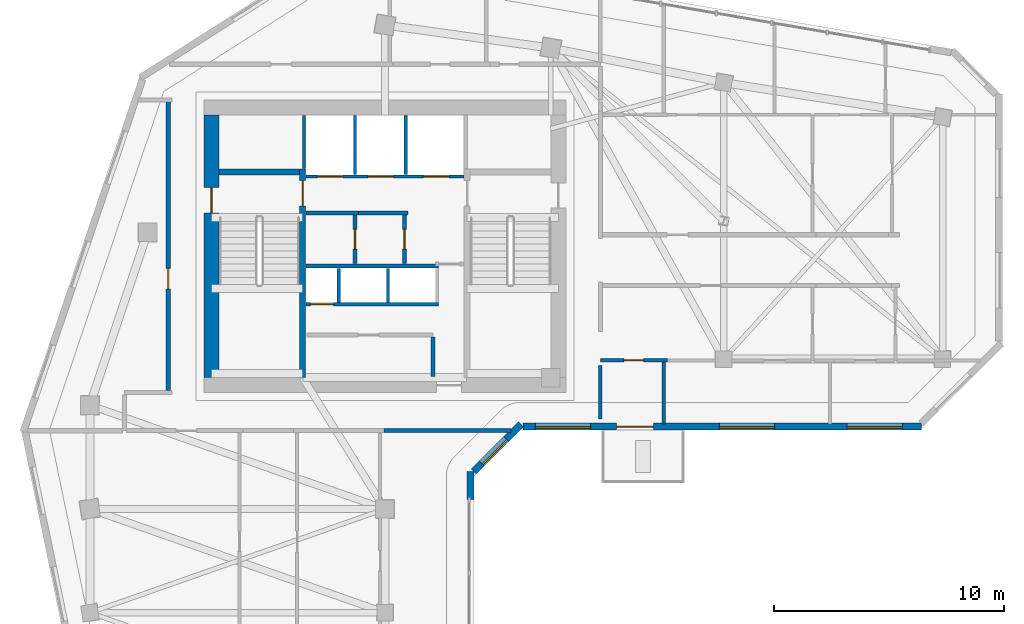
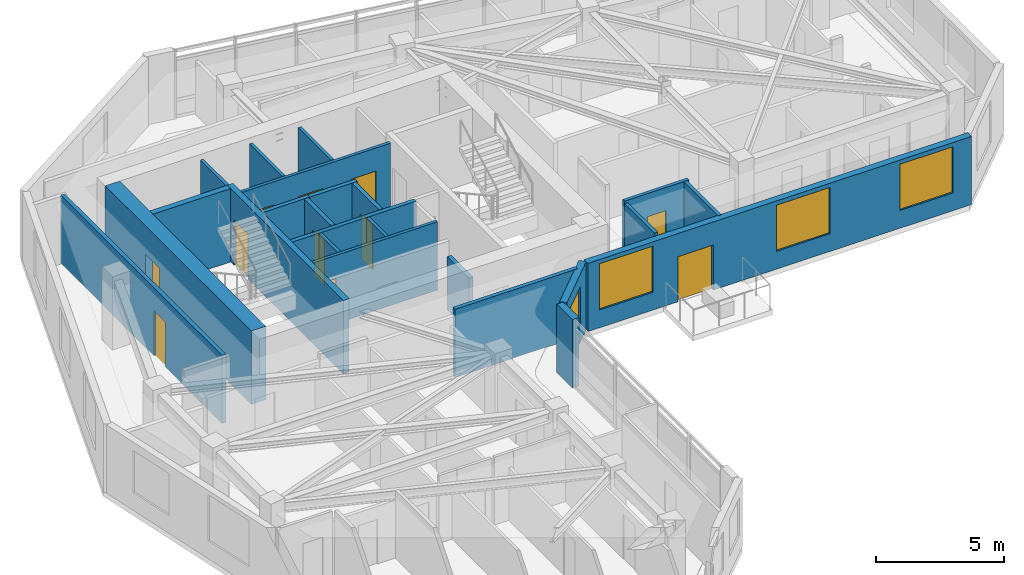
# One storey, part 6 of 11: 24 walls, 11 doors, 4 windows, 15 openings.
"""IFC4 building model written with IfcOpenShell, lengths in metres."""

from ifc_helpers import new_model, si_unit, direction, frame, frame_2d, origin, place, context, subcontext, project, spatial, rectangle, extrude, source, transform, mapped, material, layer, layer_set, type_object, element, fill, save


model = new_model("IFC4")

# Units and contexts
model_context = context("Model", 3, precision=1e-05, world=origin(), true_north=direction((0.0, 1.0)))
body_context = subcontext(model_context, "Body", "Model", "MODEL_VIEW")
ifc_project = project(units=[si_unit("LENGTHUNIT", "METRE"), si_unit("AREAUNIT", "SQUARE_METRE"), si_unit("VOLUMEUNIT", "CUBIC_METRE"), si_unit("PLANEANGLEUNIT", "RADIAN"), si_unit("MASSUNIT", "GRAM", prefix="KILO")], contexts=[model_context])

# Site, building, storey
site_placement = place(None, origin())
site = spatial("IfcSite", under=ifc_project, at=site_placement, CompositionType="ELEMENT")
building_placement = place(site_placement, origin())
building = spatial("IfcBuilding", under=site, at=building_placement, Name="Calvemar Wedge Station Tower", CompositionType="ELEMENT")
storey_placement = place(building_placement, frame((0.0, 0.0, 186.89990234375)))
storey = spatial("IfcBuildingStorey", under=building, at=storey_placement, Name="L46", CompositionType="ELEMENT", Elevation=186.89990234375)

# Wall, opening, door
ifc_material_1 = material(Name="Concrete C50", Category="concrete")
ifc_layer_1 = layer(ifc_material_1, 0.260009765625)
ifc_layer_set_1 = layer_set([ifc_layer_1], Name="Concrete C50")
wall_type_1 = type_object("IfcWallType", Name="SW-CORE-260", PredefinedType="SHEAR", material=ifc_layer_set_1)
wall_1_placement = place(storey_placement, frame((20.22998046875, 34.199951171875, 0.0), z_axis=(0.0, 0.0, 1.0), x_axis=(0.0, 1.0, 0.0)))
wall_1 = element("IfcWall", 1, at=wall_1_placement, inside=storey, type_object=wall_type_1, Name="Storey L46 Core Shear Wall SPINE-W", PredefinedType="SHEAR", context=body_context, shape_type="SweptSolid", body=[
    extrude(rectangle(XDim=9.06005859375, YDim=0.260009765625, at=frame_2d((4.530029296875, 0.0))), origin(), (0.0, 0.0, 1.0), 3.5),
])
shared_shape_1 = source(origin(), body_context, "Body", "SweptSolid", [
    extrude(rectangle(XDim=1.10009765625, YDim=2.14990234375, at=frame_2d((0.550048828125, 1.074951171875))), frame((0.0, 0.14013671875, 0.0), z_axis=(0.0, -1.0, 0.0), x_axis=(1.0, 0.0, 0.0)), (0.0, 0.0, 1.0), 0.280029296875),
])
opening_1_placement = place(wall_1_placement, frame((7.449951171875, 0.0, 0.0)))
opening_1 = element("IfcOpeningElement", 2, at=opening_1_placement, cuts=wall_1, Name="Opening FD-90", PredefinedType="OPENING", context=body_context, shape_type="MappedRepresentation", body=[
    mapped(shared_shape_1, transform((0.0, 0.0, 0.0), scale=1.0)),
])
ifc_material_2 = material(Name="Galvanized fire-rated steel door leaf P-90", Category="steel")
door_type_1 = type_object("IfcDoorType", Name="DR-FD90-1100", OperationType="NOTDEFINED", PredefinedType="DOOR", material=ifc_material_2)
shared_shape_2 = source(origin(), body_context, "Body", "SweptSolid", [
    extrude(rectangle(XDim=1.10009765625, YDim=2.14990234375, at=frame_2d((0.550048828125, 1.074951171875))), frame((0.0, 0.02490234375, 0.0), z_axis=(0.0, -1.0, 0.0), x_axis=(1.0, 0.0, 0.0)), (0.0, 0.0, 1.0), 0.050048828125),
])
door_1_placement = place(opening_1_placement, origin())
door_1 = element("IfcDoor", 3, at=door_1_placement, inside=storey, type_object=door_type_1, Name="L46 FF Lobby to Stair ST-C1 Door", OperationType="SINGLE_SWING_LEFT", OverallHeight=2.14990234375, OverallWidth=1.10009765625, PredefinedType="DOOR", context=body_context, shape_type="MappedRepresentation", body=[
    mapped(shared_shape_2, transform((0.0, 0.0, 0.0), scale=1.0)),
])
fill(opening_1, door_1)

# Wall
wall_2_placement = place(storey_placement, frame((16.60009765625, 43.1298828125, 0.0), z_axis=(0.0, 0.0, 1.0), x_axis=(1.0, 0.0, 0.0)))
element("IfcWall", 4, at=wall_2_placement, inside=storey, type_object=wall_type_1, Name="Storey L46 Core Shear Wall STC1-N", PredefinedType="SHEAR", context=body_context, shape_type="SweptSolid", body=[
    extrude(rectangle(XDim=3.5, YDim=0.260009765625, at=frame_2d((1.75, 0.0))), origin(), (0.0, 0.0, 1.0), 3.5),
])

# Wall, opening, door
ifc_material_3 = material(Name="Concrete C60", Category="concrete")
ifc_layer_2 = layer(ifc_material_3, 0.64990234375)
ifc_layer_set_2 = layer_set([ifc_layer_2], Name="Concrete C60")
wall_type_2 = type_object("IfcWallType", Name="SW-CORE-650", PredefinedType="SHEAR", material=ifc_layer_set_2)
wall_3_placement = place(storey_placement, frame((16.27490234375, 34.199951171875, 0.0), z_axis=(0.0, 0.0, 1.0), x_axis=(0.0, 1.0, 0.0)))
wall_3 = element("IfcWall", 5, at=wall_3_placement, inside=storey, type_object=wall_type_2, Name="Storey L46 Core Shear Wall W", PredefinedType="SHEAR", context=body_context, shape_type="SweptSolid", body=[
    extrude(rectangle(XDim=11.400146484375, YDim=0.64990234375, at=frame_2d((5.7001953125, 0.0))), origin(), (0.0, 0.0, 1.0), 3.5),
])
shared_shape_3 = source(origin(), body_context, "Body", "SweptSolid", [
    extrude(rectangle(XDim=1.10009765625, YDim=2.14990234375, at=frame_2d((0.550048828125, 1.074951171875))), frame((0.0, 0.3349609375, 0.0), z_axis=(0.0, -1.0, 0.0), x_axis=(1.0, 0.0, 0.0)), (0.0, 0.0, 1.0), 0.669921875),
])
opening_2_placement = place(wall_3_placement, frame((7.14990234375, 0.0, 0.0)))
opening_2 = element("IfcOpeningElement", 6, at=opening_2_placement, cuts=wall_3, Name="Opening FD-90", PredefinedType="OPENING", context=body_context, shape_type="MappedRepresentation", body=[
    mapped(shared_shape_3, transform((0.0, 0.0, 0.0), scale=1.0)),
])
door_2_placement = place(opening_2_placement, origin())
door_2 = element("IfcDoor", 7, at=door_2_placement, inside=storey, type_object=door_type_1, Name="L46 West Corridor to Exit Stair ST-C1 Door", OperationType="SINGLE_SWING_LEFT", OverallHeight=2.14990234375, OverallWidth=1.10009765625, PredefinedType="DOOR", context=body_context, shape_type="MappedRepresentation", body=[
    mapped(shared_shape_2, transform((0.0, 0.0, 0.0), scale=1.0)),
])
fill(opening_2, door_2)

# Walls
ifc_material_4 = material(Name="Double-stud fire-rated corridor partition")
ifc_layer_3 = layer(ifc_material_4, 0.179931640625)
ifc_layer_set_3 = layer_set([ifc_layer_3], Name="Double-stud fire-rated corridor partition")
wall_type_3 = type_object("IfcWallType", Name="W-CORR-180", PredefinedType="PARTITIONING", material=ifc_layer_set_3)
wall_4_placement = place(storey_placement, frame((22.659912109375, 41.35009765625, 0.0), z_axis=(0.0, 0.0, 1.0), x_axis=(-1.0, 0.0, 0.0)))
element("IfcWall", 8, at=wall_4_placement, inside=storey, type_object=wall_type_3, Name="Storey L46 Interior Partition WL-L46-001", PredefinedType="PARTITIONING", context=body_context, shape_type="SweptSolid", body=[
    extrude(rectangle(XDim=2.280029296875, YDim=0.179931640625, at=frame_2d((1.14013671875, 0.0))), origin(), (0.0, 0.0, 1.0), 3.25),
])
wall_5_placement = place(storey_placement, frame((24.81005859375, 41.35009765625, 0.0), z_axis=(0.0, 0.0, 1.0), x_axis=(-1.0, 0.0, 0.0)))
element("IfcWall", 9, at=wall_5_placement, inside=storey, type_object=wall_type_3, Name="Storey L46 Interior Partition WL-L46-002", PredefinedType="PARTITIONING", context=body_context, shape_type="SweptSolid", body=[
    extrude(rectangle(XDim=2.14794921875, YDim=0.179931640625, at=frame_2d((1.073974609375, 0.0))), origin(), (0.0, 0.0, 1.0), 3.25),
])

# Wall, opening, door
wall_6_placement = place(storey_placement, frame((22.5, 41.256103515625, 0.0), z_axis=(0.0, 0.0, 1.0), x_axis=(0.0, -1.0, 0.0)))
wall_6 = element("IfcWall", 10, at=wall_6_placement, inside=storey, type_object=wall_type_3, Name="Storey L46 Interior Partition WL-L46-003", PredefinedType="PARTITIONING", context=body_context, shape_type="SweptSolid", body=[
    extrude(rectangle(XDim=2.106201171875, YDim=0.179931640625, at=frame_2d((1.05322265625, 0.0))), origin(), (0.0, 0.0, 1.0), 3.25),
])
shared_shape_4 = source(origin(), body_context, "Body", "SweptSolid", [
    extrude(rectangle(XDim=0.85009765625, YDim=2.14990234375, at=frame_2d((0.425048828125, 1.074951171875))), frame((0.0, 0.10009765625, 0.0), z_axis=(0.0, -1.0, 0.0), x_axis=(1.0, 0.0, 0.0)), (0.0, 0.0, 1.0), 0.199951171875),
])
opening_3_placement = place(wall_6_placement, frame((0.6279296875, 0.0, 0.0)))
opening_3 = element("IfcOpeningElement", 11, at=opening_3_placement, cuts=wall_6, Name="Opening FD-60S", PredefinedType="OPENING", context=body_context, shape_type="MappedRepresentation", body=[
    mapped(shared_shape_4, transform((0.0, 0.0, 0.0), scale=1.0)),
])
ifc_material_5 = material(Name="Fire-rated steel and hardwood service door EI 60", Category="steel")
door_type_2 = type_object("IfcDoorType", Name="DR-CORE-FD60-850", OperationType="NOTDEFINED", PredefinedType="DOOR", material=ifc_material_5)
shared_shape_5 = source(origin(), body_context, "Body", "SweptSolid", [
    extrude(rectangle(XDim=0.85009765625, YDim=2.14990234375, at=frame_2d((0.425048828125, 1.074951171875))), frame((0.0, 0.02490234375, 0.0), z_axis=(0.0, -1.0, 0.0), x_axis=(1.0, 0.0, 0.0)), (0.0, 0.0, 1.0), 0.050048828125),
])
door_3_placement = place(opening_3_placement, origin())
door_3 = element("IfcDoor", 12, at=door_3_placement, inside=storey, type_object=door_type_2, Name="L46 IT and Telecoms Room Door", OperationType="SINGLE_SWING_RIGHT", OverallHeight=2.14990234375, OverallWidth=0.85009765625, PredefinedType="DOOR", context=body_context, shape_type="MappedRepresentation", body=[
    mapped(shared_shape_5, transform((0.0, 0.0, 0.0), scale=1.0)),
])
fill(opening_3, door_3)

wall_7_placement = place(storey_placement, frame((24.64990234375, 41.256103515625, 0.0), z_axis=(0.0, 0.0, 1.0), x_axis=(0.0, -1.0, 0.0)))
wall_7 = element("IfcWall", 13, at=wall_7_placement, inside=storey, type_object=wall_type_3, Name="Storey L46 Interior Partition WL-L46-004", PredefinedType="PARTITIONING", context=body_context, shape_type="SweptSolid", body=[
    extrude(rectangle(XDim=2.106201171875, YDim=0.179931640625, at=frame_2d((1.05322265625, 0.0))), origin(), (0.0, 0.0, 1.0), 3.25),
])
opening_4_placement = place(wall_7_placement, frame((0.6279296875, 0.0, 0.0)))
opening_4 = element("IfcOpeningElement", 14, at=opening_4_placement, cuts=wall_7, Name="Opening FD-60S", PredefinedType="OPENING", context=body_context, shape_type="MappedRepresentation", body=[
    mapped(shared_shape_4, transform((0.0, 0.0, 0.0), scale=1.0)),
])
door_4_placement = place(opening_4_placement, origin())
door_4 = element("IfcDoor", 15, at=door_4_placement, inside=storey, type_object=door_type_2, Name="L46 Core Equipment Store Door", OperationType="SINGLE_SWING_LEFT", OverallHeight=2.14990234375, OverallWidth=0.85009765625, PredefinedType="DOOR", context=body_context, shape_type="MappedRepresentation", body=[
    mapped(shared_shape_5, transform((0.0, 0.0, 0.0), scale=1.0)),
])
fill(opening_4, door_4)

# Walls
wall_8_placement = place(storey_placement, frame((25.8798828125, 35.9560546875, 0.0), z_axis=(0.0, 0.0, 1.0), x_axis=(0.0, -1.0, 0.0)))
element("IfcWall", 16, at=wall_8_placement, inside=storey, type_object=wall_type_3, Name="Storey L46 Interior Partition WL-L46-007", PredefinedType="PARTITIONING", context=body_context, shape_type="SweptSolid", body=[
    extrude(rectangle(XDim=1.7060546875, YDim=0.179931640625, at=frame_2d((0.85302734375, 0.0))), origin(), (0.0, 0.0, 1.0), 2.5419921875),
])
wall_9_placement = place(storey_placement, frame((29.26513671875, 31.89990234375, 0.0), z_axis=(0.0, 0.0, 1.0), x_axis=(-1.0, 0.0, 0.0)))
element("IfcWall", 17, at=wall_9_placement, inside=storey, type_object=wall_type_3, Name="Storey L46 Interior Partition WL-L46-011", PredefinedType="PARTITIONING", context=body_context, shape_type="SweptSolid", body=[
    extrude(rectangle(XDim=5.51220703125, YDim=0.179931640625, at=frame_2d((2.756103515625, 0.0))), origin(), (0.0, 0.0, 1.0), 3.25),
])

# Wall, opening, door
wall_10_placement = place(storey_placement, frame((14.39990234375, 33.64404296875, 0.0), z_axis=(0.0, 0.0, 1.0), x_axis=(0.0, 1.0, 0.0)))
wall_10 = element("IfcWall", 18, at=wall_10_placement, inside=storey, type_object=wall_type_3, Name="Storey L46 Interior Partition WL-L46-014", PredefinedType="PARTITIONING", context=body_context, shape_type="SweptSolid", body=[
    extrude(rectangle(XDim=12.60595703125, YDim=0.179931640625, at=frame_2d((6.302978515625, 0.0))), origin(), (0.0, 0.0, 1.0), 3.25),
])
shared_shape_6 = source(origin(), body_context, "Body", "SweptSolid", [
    extrude(rectangle(XDim=0.89990234375, YDim=2.14990234375, at=frame_2d((0.449951171875, 1.074951171875))), frame((0.0, 0.10009765625, 0.0), z_axis=(0.0, -1.0, 0.0), x_axis=(1.0, 0.0, 0.0)), (0.0, 0.0, 1.0), 0.199951171875),
])
opening_5_placement = place(wall_10_placement, frame((4.399169921875, 0.0, 0.0)))
opening_5 = element("IfcOpeningElement", 19, at=opening_5_placement, cuts=wall_10, Name="Opening D-01", PredefinedType="OPENING", context=body_context, shape_type="MappedRepresentation", body=[
    mapped(shared_shape_6, transform((0.0, 0.0, 0.0), scale=1.0)),
])
ifc_material_6 = material(Name="Architectural hardwood acoustic swing door", Category="wood")
door_type_3 = type_object("IfcDoorType", Name="DR-INT-900", OperationType="NOTDEFINED", PredefinedType="DOOR", material=ifc_material_6)
shared_shape_7 = source(origin(), body_context, "Body", "SweptSolid", [
    extrude(rectangle(XDim=0.89990234375, YDim=2.14990234375, at=frame_2d((0.449951171875, 1.074951171875))), frame((0.0, 0.02490234375, 0.0), z_axis=(0.0, -1.0, 0.0), x_axis=(1.0, 0.0, 0.0)), (0.0, 0.0, 1.0), 0.050048828125),
])
door_5_placement = place(opening_5_placement, origin())
door_5 = element("IfcDoor", 20, at=door_5_placement, inside=storey, type_object=door_type_3, Name="L46 Resident Reading Lounge Door", OperationType="SINGLE_SWING_RIGHT", OverallHeight=2.14990234375, OverallWidth=0.89990234375, PredefinedType="DOOR", context=body_context, shape_type="MappedRepresentation", body=[
    mapped(shared_shape_7, transform((0.0, 0.0, 0.0), scale=1.0)),
])
fill(opening_5, door_5)

# Wall
ifc_material_7 = material(Name="Precast concrete C45", Category="concrete")
ifc_layer_4 = layer(ifc_material_7, 0.300048828125)
ifc_layer_set_4 = layer_set([ifc_layer_4], Name="Precast concrete C45")
wall_type_4 = type_object("IfcWallType", Name="W-EXT-GFRC-300", PredefinedType="SOLIDWALL", material=ifc_layer_set_4)
wall_11_placement = place(storey_placement, frame((27.513916015625, 28.90869140625, 0.0), z_axis=(0.0, 0.0, 1.0), x_axis=(0.0, 1.0, 0.0)))
element("IfcWall", 21, at=wall_11_placement, inside=storey, type_object=wall_type_4, Name="Storey L46 Bronze GFRC Corner Pier 4B", PredefinedType="SOLIDWALL", context=body_context, shape_type="SweptSolid", body=[
    extrude(rectangle(XDim=1.227294921875, YDim=0.300048828125, at=frame_2d((0.61376953125, 0.0))), origin(), (0.0, 0.0, 1.0), 3.25),
])

# Wall, opening, window
wall_12_placement = place(storey_placement, frame((27.652099609375, 30.1240234375, 0.0), z_axis=(0.0, 0.0, 1.0), x_axis=(0.707064797706, 0.707148762175, 0.0)))
wall_12 = element("IfcWall", 22, at=wall_12_placement, inside=storey, type_object=wall_type_4, Name="Storey L46 Bronze GFRC Exterior Wall 5", PredefinedType="SOLIDWALL", context=body_context, shape_type="SweptSolid", body=[
    extrude(rectangle(XDim=2.90771484375, YDim=0.300048828125, at=frame_2d((1.453857421875, 0.0))), origin(), (0.0, 0.0, 1.0), 3.25),
])
shared_shape_8 = source(origin(), body_context, "Body", "SweptSolid", [
    extrude(rectangle(XDim=1.5, YDim=1.800048828125, at=frame_2d((0.75, 0.89990234375))), frame((0.0, 0.16015625, 0.0), z_axis=(0.0, -1.0, 0.0), x_axis=(1.0, 0.0, 0.0)), (0.0, 0.0, 1.0), 0.320068359375),
])
opening_6_placement = place(wall_12_placement, frame((0.498046875, 0.0, 0.85009765625)))
opening_6 = element("IfcOpeningElement", 23, at=opening_6_placement, cuts=wall_12, Name="Opening W3", PredefinedType="OPENING", context=body_context, shape_type="MappedRepresentation", body=[
    mapped(shared_shape_8, transform((0.0, 0.0, 0.0), scale=1.0)),
])
ifc_material_8 = material(Name="Low-E laminated insulated glass", Category="glass")
window_type_1 = type_object("IfcWindowType", Name="WIN-EXT-3", PartitioningType="SINGLE_PANEL", PredefinedType="WINDOW", material=ifc_material_8)
shared_shape_9 = source(origin(), body_context, "Body", "SweptSolid", [
    extrude(rectangle(XDim=1.5, YDim=1.800048828125, at=frame_2d((0.75, 0.89990234375))), frame((0.0, -0.014892578125, 0.0), z_axis=(0.0, -1.0, 0.0), x_axis=(1.0, 0.0, 0.0)), (0.0, 0.0, 1.0), 0.06005859375),
])
window_1_placement = place(opening_6_placement, origin())
window_1 = element("IfcWindow", 24, at=window_1_placement, inside=storey, type_object=window_type_1, Name="Storey L46 Recessed Window 5.1", OverallHeight=1.800048828125, OverallWidth=1.5, PartitioningType="SINGLE_PANEL", PredefinedType="WINDOW", context=body_context, shape_type="MappedRepresentation", body=[
    mapped(shared_shape_9, transform((0.0, 0.0, 0.0), scale=1.0)),
])
fill(opening_6, window_1)

# Wall, openings, windows, door
wall_13_placement = place(storey_placement, frame((29.797119140625, 32.073974609375, 0.0), z_axis=(0.0, 0.0, 1.0), x_axis=(1.0, 0.0, 0.0)))
wall_13 = element("IfcWall", 25, at=wall_13_placement, inside=storey, type_object=wall_type_4, Name="Storey L46 Bronze GFRC Exterior Wall 6", PredefinedType="SOLIDWALL", context=body_context, shape_type="SweptSolid", body=[
    extrude(rectangle(XDim=17.290771484375, YDim=0.300048828125, at=frame_2d((8.6455078125, 0.0))), origin(), (0.0, 0.0, 1.0), 3.25),
])
shared_shape_10 = source(origin(), body_context, "Body", "SweptSolid", [
    extrude(rectangle(XDim=1.60009765625, YDim=2.14990234375, at=frame_2d((0.800048828125, 1.074951171875))), frame((0.0, 0.16015625, 0.0), z_axis=(0.0, -1.0, 0.0), x_axis=(1.0, 0.0, 0.0)), (0.0, 0.0, 1.0), 0.320068359375),
])
opening_7_placement = place(wall_13_placement, frame((4.052978515625, 0.0, 0.0)))
opening_7 = element("IfcOpeningElement", 26, at=opening_7_placement, cuts=wall_13, Name="Opening DT1", PredefinedType="OPENING", context=body_context, shape_type="MappedRepresentation", body=[
    mapped(shared_shape_10, transform((0.0, 0.0, 0.0), scale=1.0)),
])
shared_shape_11 = source(origin(), body_context, "Body", "SweptSolid", [
    extrude(rectangle(XDim=2.39990234375, YDim=2.199951171875, at=frame_2d((1.199951171875, 1.10009765625))), frame((0.0, 0.16015625, 0.0), z_axis=(0.0, -1.0, 0.0), x_axis=(1.0, 0.0, 0.0)), (0.0, 0.0, 1.0), 0.320068359375),
])
opening_8_placement = place(wall_13_placement, frame((0.52587890625, 0.0, 0.85009765625)))
opening_8 = element("IfcOpeningElement", 27, at=opening_8_placement, cuts=wall_13, Name="Opening W1", PredefinedType="OPENING", context=body_context, shape_type="MappedRepresentation", body=[
    mapped(shared_shape_11, transform((0.0, 0.0, 0.0), scale=1.0)),
])
opening_9_placement = place(wall_13_placement, frame((8.510986328125, 0.0, 0.85009765625)))
opening_9 = element("IfcOpeningElement", 28, at=opening_9_placement, cuts=wall_13, Name="Opening W1", PredefinedType="OPENING", context=body_context, shape_type="MappedRepresentation", body=[
    mapped(shared_shape_11, transform((0.0, 0.0, 0.0), scale=1.0)),
])
opening_10_placement = place(wall_13_placement, frame((14.054931640625, 0.0, 0.85009765625)))
opening_10 = element("IfcOpeningElement", 29, at=opening_10_placement, cuts=wall_13, Name="Opening W1", PredefinedType="OPENING", context=body_context, shape_type="MappedRepresentation", body=[
    mapped(shared_shape_11, transform((0.0, 0.0, 0.0), scale=1.0)),
])
window_type_2 = type_object("IfcWindowType", Name="WIN-EXT-1", PartitioningType="SINGLE_PANEL", PredefinedType="WINDOW", material=ifc_material_8)
shared_shape_12 = source(origin(), body_context, "Body", "SweptSolid", [
    extrude(rectangle(XDim=2.39990234375, YDim=2.199951171875, at=frame_2d((1.199951171875, 1.10009765625))), frame((0.0, -0.014892578125, 0.0), z_axis=(0.0, -1.0, 0.0), x_axis=(1.0, 0.0, 0.0)), (0.0, 0.0, 1.0), 0.06005859375),
])
window_2_placement = place(opening_8_placement, origin())
window_2 = element("IfcWindow", 30, at=window_2_placement, inside=storey, type_object=window_type_2, Name="Storey L46 Recessed Window 6.1", OverallHeight=2.199951171875, OverallWidth=2.39990234375, PartitioningType="SINGLE_PANEL", PredefinedType="WINDOW", context=body_context, shape_type="MappedRepresentation", body=[
    mapped(shared_shape_12, transform((0.0, 0.0, 0.0), scale=1.0)),
])
fill(opening_8, window_2)
window_3_placement = place(opening_9_placement, origin())
window_3 = element("IfcWindow", 31, at=window_3_placement, inside=storey, type_object=window_type_2, Name="Storey L46 Recessed Window 6.2", OverallHeight=2.199951171875, OverallWidth=2.39990234375, PartitioningType="SINGLE_PANEL", PredefinedType="WINDOW", context=body_context, shape_type="MappedRepresentation", body=[
    mapped(shared_shape_12, transform((0.0, 0.0, 0.0), scale=1.0)),
])
fill(opening_9, window_3)
window_4_placement = place(opening_10_placement, origin())
window_4 = element("IfcWindow", 32, at=window_4_placement, inside=storey, type_object=window_type_2, Name="Storey L46 Recessed Window 6.3", OverallHeight=2.199951171875, OverallWidth=2.39990234375, PartitioningType="SINGLE_PANEL", PredefinedType="WINDOW", context=body_context, shape_type="MappedRepresentation", body=[
    mapped(shared_shape_12, transform((0.0, 0.0, 0.0), scale=1.0)),
])
fill(opening_10, window_4)
ifc_material_9 = material(Name="Anodised aluminium 6063-T6", Category="aluminium")
door_type_4 = type_object("IfcDoorType", Name="DR-TERR-1600", OperationType="DOUBLE_DOOR_SLIDING", PredefinedType="DOOR", material=ifc_material_9)
shared_shape_13 = source(origin(), body_context, "Body", "SweptSolid", [
    extrude(rectangle(XDim=1.60009765625, YDim=2.14990234375, at=frame_2d((0.800048828125, 1.074951171875))), frame((0.0, 0.02490234375, 0.0), z_axis=(0.0, -1.0, 0.0), x_axis=(1.0, 0.0, 0.0)), (0.0, 0.0, 1.0), 0.050048828125),
])
door_6_placement = place(opening_7_placement, origin())
door_6 = element("IfcDoor", 33, at=door_6_placement, inside=storey, type_object=door_type_4, Name="Storey L46 Spiral Terrace Door", OperationType="DOUBLE_DOOR_SLIDING", OverallHeight=2.14990234375, OverallWidth=1.60009765625, PredefinedType="DOOR", context=body_context, shape_type="MappedRepresentation", body=[
    mapped(shared_shape_13, transform((0.0, 0.0, 0.0), scale=1.0)),
])
fill(opening_7, door_6)

# Wall, openings, doors
ifc_material_10 = material(Name="Reinforced concrete blockwork lift shaft wall", Category="masonry")
ifc_layer_5 = layer(ifc_material_10, 0.139892578125)
ifc_layer_set_5 = layer_set([ifc_layer_5], Name="Reinforced concrete blockwork lift shaft wall")
wall_type_5 = type_object("IfcWallType", Name="W-LIFT-160", PredefinedType="SOLIDWALL", material=ifc_layer_set_5)
wall_14_placement = place(storey_placement, frame((20.3701171875, 42.929931640625, 0.0), z_axis=(0.0, 0.0, 1.0), x_axis=(1.0, 0.0, 0.0)))
wall_14 = element("IfcWall", 34, at=wall_14_placement, inside=storey, type_object=wall_type_5, Name="Storey L46 Firefighting and Service Lift Shaft Front Wall", PredefinedType="SOLIDWALL", context=body_context, shape_type="SweptSolid", body=[
    extrude(rectangle(XDim=6.85986328125, YDim=0.139892578125, at=frame_2d((3.429931640625, 0.0))), origin(), (0.0, 0.0, 1.0), 3.25),
])
shared_shape_14 = source(origin(), body_context, "Body", "SweptSolid", [
    extrude(rectangle(XDim=1.10009765625, YDim=2.14990234375, at=frame_2d((0.550048828125, 1.074951171875))), frame((0.0, 0.080078125, 0.0), z_axis=(0.0, -1.0, 0.0), x_axis=(1.0, 0.0, 0.0)), (0.0, 0.0, 1.0), 0.159912109375),
])
opening_11_placement = place(wall_14_placement, frame((0.5, 0.0, 0.0)))
opening_11 = element("IfcOpeningElement", 35, at=opening_11_placement, cuts=wall_14, Name="Opening LD-FF", PredefinedType="OPENING", context=body_context, shape_type="MappedRepresentation", body=[
    mapped(shared_shape_14, transform((0.0, 0.0, 0.0), scale=1.0)),
])
opening_12_placement = place(wall_14_placement, frame((2.699951171875, 0.0, 0.0)))
opening_12 = element("IfcOpeningElement", 36, at=opening_12_placement, cuts=wall_14, Name="Opening LD-FF", PredefinedType="OPENING", context=body_context, shape_type="MappedRepresentation", body=[
    mapped(shared_shape_14, transform((0.0, 0.0, 0.0), scale=1.0)),
])
opening_13_placement = place(wall_14_placement, frame((5.10009765625, 0.0, 0.0)))
opening_13 = element("IfcOpeningElement", 37, at=opening_13_placement, cuts=wall_14, Name="Opening LD-STN", PredefinedType="OPENING", context=body_context, shape_type="MappedRepresentation", body=[
    mapped(shared_shape_14, transform((0.0, 0.0, 0.0), scale=1.0)),
])
ifc_material_11 = material(Name="Stainless steel firefighting lift sliding landing door", Category="steel")
door_type_5 = type_object("IfcDoorType", Name="DR-LD-FF-1100", OperationType="SLIDING_TO_LEFT", PredefinedType="DOOR", material=ifc_material_11)
shared_shape_15 = source(origin(), body_context, "Body", "SweptSolid", [
    extrude(rectangle(XDim=1.10009765625, YDim=2.14990234375, at=frame_2d((0.550048828125, 1.074951171875))), frame((0.0, 0.02490234375, 0.0), z_axis=(0.0, -1.0, 0.0), x_axis=(1.0, 0.0, 0.0)), (0.0, 0.0, 1.0), 0.050048828125),
])
door_7_placement = place(opening_11_placement, origin())
door_7 = element("IfcDoor", 38, at=door_7_placement, inside=storey, type_object=door_type_5, Name="L46 Lift FF-01 Sliding Landing Door", OperationType="SLIDING_TO_LEFT", OverallHeight=2.14990234375, OverallWidth=1.10009765625, PredefinedType="DOOR", context=body_context, shape_type="MappedRepresentation", body=[
    mapped(shared_shape_15, transform((0.0, 0.0, 0.0), scale=1.0)),
])
fill(opening_11, door_7)
door_8_placement = place(opening_12_placement, origin())
door_8 = element("IfcDoor", 39, at=door_8_placement, inside=storey, type_object=door_type_5, Name="L46 Lift FF-02 Sliding Landing Door", OperationType="SLIDING_TO_RIGHT", OverallHeight=2.14990234375, OverallWidth=1.10009765625, PredefinedType="DOOR", context=body_context, shape_type="MappedRepresentation", body=[
    mapped(shared_shape_15, transform((0.0, 0.0, 0.0), scale=1.0)),
])
fill(opening_12, door_8)
ifc_material_12 = material(Name="Stainless steel transit lift sliding landing door", Category="steel")
door_type_6 = type_object("IfcDoorType", Name="DR-LD-PAX-1100", OperationType="SLIDING_TO_LEFT", PredefinedType="DOOR", material=ifc_material_12)
shared_shape_16 = source(origin(), body_context, "Body", "SweptSolid", [
    extrude(rectangle(XDim=1.10009765625, YDim=2.14990234375, at=frame_2d((0.550048828125, 1.074951171875))), frame((0.0, 0.02490234375, 0.0), z_axis=(0.0, -1.0, 0.0), x_axis=(1.0, 0.0, 0.0)), (0.0, 0.0, 1.0), 0.050048828125),
])
door_9_placement = place(opening_13_placement, origin())
door_9 = element("IfcDoor", 40, at=door_9_placement, inside=storey, type_object=door_type_6, Name="L46 Lift SV-01 Sliding Landing Door", OperationType="SLIDING_TO_LEFT", OverallHeight=2.14990234375, OverallWidth=1.10009765625, PredefinedType="DOOR", context=body_context, shape_type="MappedRepresentation", body=[
    mapped(shared_shape_16, transform((0.0, 0.0, 0.0), scale=1.0)),
])
fill(opening_13, door_9)

# Walls
wall_15_placement = place(storey_placement, frame((20.2900390625, 43.280029296875, 0.0), z_axis=(0.0, 0.0, 1.0), x_axis=(0.0, 1.0, 0.0)))
element("IfcWall", 41, at=wall_15_placement, inside=storey, type_object=wall_type_5, Name="Storey L46 Firefighting Lift Shaft Enclosure Wall W", PredefinedType="SOLIDWALL", context=body_context, shape_type="SweptSolid", body=[
    extrude(rectangle(XDim=2.300048828125, YDim=0.139892578125, at=frame_2d((1.14990234375, 0.0))), origin(), (0.0, 0.0, 1.0), 3.25),
])
for number, where, z_axis, x_axis, name in (
    (42, (22.5, 43.02001953125, 0.0), (0.0, 0.0, 1.0), (0.0, 1.0, 0.0), "Storey L46 Firefighting Lift Shaft Enclosure Wall D1"),
    (43, (24.699951171875, 43.02001953125, 0.0), (0.0, 0.0, 1.0), (0.0, 1.0, 0.0), "Storey L46 Firefighting Lift Shaft Enclosure Wall D2"),
):
    element("IfcWall", number, at=place(storey_placement, frame(where, z_axis=z_axis, x_axis=x_axis)), inside=storey, type_object=wall_type_5, Name=name, PredefinedType="SOLIDWALL", context=body_context, shape_type="SweptSolid", body=[
        extrude(rectangle(XDim=2.56005859375, YDim=0.139892578125, at=frame_2d((1.280029296875, 0.0))), origin(), (0.0, 0.0, 1.0), 3.25),
    ])

# Wall, opening, door
wall_16_placement = place(storey_placement, frame((20.3798828125, 37.3798828125, 0.0), z_axis=(0.0, 0.0, 1.0), x_axis=(1.0, 0.0, 0.0)))
wall_16 = element("IfcWall", 44, at=wall_16_placement, inside=storey, type_object=wall_type_5, Name="Storey L46 Upper Passenger Lift Bank Front Wall", PredefinedType="SOLIDWALL", context=body_context, shape_type="SweptSolid", body=[
    extrude(rectangle(XDim=5.75, YDim=0.139892578125, at=frame_2d((2.875, 0.0))), origin(), (0.0, 0.0, 1.0), 3.25),
])
shared_shape_17 = source(origin(), body_context, "Body", "SweptSolid", [
    extrude(rectangle(XDim=1.0, YDim=2.14990234375, at=frame_2d((0.5, 1.074951171875))), frame((0.0, 0.080078125, 0.0), z_axis=(0.0, -1.0, 0.0), x_axis=(1.0, 0.0, 0.0)), (0.0, 0.0, 1.0), 0.159912109375),
])
opening_14_placement = place(wall_16_placement, frame((0.18994140625, 0.0, 0.0)))
opening_14 = element("IfcOpeningElement", 45, at=opening_14_placement, cuts=wall_16, Name="Opening LD-PAX", PredefinedType="OPENING", context=body_context, shape_type="MappedRepresentation", body=[
    mapped(shared_shape_17, transform((0.0, 0.0, 0.0), scale=1.0)),
])
ifc_material_13 = material(Name="Anodised bronze passenger lift sliding landing door")
door_type_7 = type_object("IfcDoorType", Name="DR-LD-PAX-1000", OperationType="SLIDING_TO_LEFT", PredefinedType="DOOR", material=ifc_material_13)
shared_shape_18 = source(origin(), body_context, "Body", "SweptSolid", [
    extrude(rectangle(XDim=1.0, YDim=2.14990234375, at=frame_2d((0.5, 1.074951171875))), frame((0.0, 0.02490234375, 0.0), z_axis=(0.0, -1.0, 0.0), x_axis=(1.0, 0.0, 0.0)), (0.0, 0.0, 1.0), 0.050048828125),
])
door_10_placement = place(opening_14_placement, origin())
door_10 = element("IfcDoor", 46, at=door_10_placement, inside=storey, type_object=door_type_7, Name="L46 Lift RH-01 Sliding Landing Door", OperationType="SLIDING_TO_LEFT", OverallHeight=2.14990234375, OverallWidth=1.0, PredefinedType="DOOR", context=body_context, shape_type="MappedRepresentation", body=[
    mapped(shared_shape_18, transform((0.0, 0.0, 0.0), scale=1.0)),
])
fill(opening_14, door_10)

# Walls
for number, where, z_axis, x_axis, name in (
    (47, (21.794921875, 37.4599609375, 0.0), (0.0, 0.0, 1.0), (0.0, 1.0, 0.0), "Storey L46 Upper Passenger Lift Shaft Wall D1"),
    (48, (23.93505859375, 37.4599609375, 0.0), (0.0, 0.0, 1.0), (0.0, 1.0, 0.0), "Storey L46 Upper Passenger Lift Shaft Wall D2"),
):
    element("IfcWall", number, at=place(storey_placement, frame(where, z_axis=z_axis, x_axis=x_axis)), inside=storey, type_object=wall_type_5, Name=name, PredefinedType="SOLIDWALL", context=body_context, shape_type="SweptSolid", body=[
        extrude(rectangle(XDim=1.47998046875, YDim=0.139892578125, at=frame_2d((0.739990234375, 0.0))), origin(), (0.0, 0.0, 1.0), 3.25),
    ])
ifc_material_14 = material(Name="Concrete blockwork and fireboard shaft wall", Category="masonry")
ifc_layer_6 = layer(ifc_material_14, 0.199951171875)
ifc_layer_set_6 = layer_set([ifc_layer_6], Name="Concrete blockwork and fireboard shaft wall")
wall_type_6 = type_object("IfcWallType", Name="W-SHAFT-200", PredefinedType="SOLIDWALL", material=ifc_layer_set_6)
wall_17_placement = place(storey_placement, frame((20.3798828125, 39.0400390625, 0.0), z_axis=(0.0, 0.0, 1.0), x_axis=(1.0, 0.0, 0.0)))
element("IfcWall", 49, at=wall_17_placement, inside=storey, type_object=wall_type_6, Name="Storey L46 Upper Passenger Lift Bank Rear Shaft Wall", PredefinedType="SOLIDWALL", context=body_context, shape_type="SweptSolid", body=[
    extrude(rectangle(XDim=5.75, YDim=0.179931640625, at=frame_2d((2.875, 0.0))), origin(), (0.0, 0.0, 1.0), 3.25),
])

# Wall, opening, door
ifc_material_15 = material(Name="Moisture-resistant acoustic bathroom partition")
ifc_layer_7 = layer(ifc_material_15, 0.14990234375)
ifc_layer_set_7 = layer_set([ifc_layer_7], Name="Moisture-resistant acoustic bathroom partition")
wall_type_7 = type_object("IfcWallType", Name="W-WET-150", PredefinedType="PARTITIONING", material=ifc_layer_set_7)
wall_18_placement = place(storey_placement, frame((36.06005859375, 34.949951171875, 0.0), z_axis=(0.0, 0.0, 1.0), x_axis=(-1.0, 0.0, 0.0)))
wall_18 = element("IfcWall", 50, at=wall_18_placement, inside=storey, type_object=wall_type_7, Name="Storey L46 Interior Partition WL-L46-046", PredefinedType="PARTITIONING", context=body_context, shape_type="SweptSolid", body=[
    extrude(rectangle(XDim=2.91015625, YDim=0.14990234375, at=frame_2d((1.455078125, 0.0))), origin(), (0.0, 0.0, 1.0), 3.25),
])
shared_shape_19 = source(origin(), body_context, "Body", "SweptSolid", [
    extrude(rectangle(XDim=0.85009765625, YDim=2.14990234375, at=frame_2d((0.425048828125, 1.074951171875))), frame((0.0, 0.0849609375, 0.0), z_axis=(0.0, -1.0, 0.0), x_axis=(1.0, 0.0, 0.0)), (0.0, 0.0, 1.0), 0.169921875),
])
opening_15_placement = place(wall_18_placement, frame((1.030029296875, 0.0, 0.0)))
opening_15 = element("IfcOpeningElement", 51, at=opening_15_placement, cuts=wall_18, Name="Opening D-02", PredefinedType="OPENING", context=body_context, shape_type="MappedRepresentation", body=[
    mapped(shared_shape_19, transform((0.0, 0.0, 0.0), scale=1.0)),
])
ifc_material_16 = material(Name="Moisture-sealed bathroom hardwood swing door", Category="wood")
door_type_8 = type_object("IfcDoorType", Name="DR-WET-850", OperationType="NOTDEFINED", PredefinedType="DOOR", material=ifc_material_16)
shared_shape_20 = source(origin(), body_context, "Body", "SweptSolid", [
    extrude(rectangle(XDim=0.85009765625, YDim=2.14990234375, at=frame_2d((0.425048828125, 1.074951171875))), frame((0.0, 0.02490234375, 0.0), z_axis=(0.0, -1.0, 0.0), x_axis=(1.0, 0.0, 0.0)), (0.0, 0.0, 1.0), 0.050048828125),
])
door_11_placement = place(opening_15_placement, origin())
door_11 = element("IfcDoor", 52, at=door_11_placement, inside=storey, type_object=door_type_8, Name="L46 Bathroom Door", OperationType="SINGLE_SWING_RIGHT", OverallHeight=2.14990234375, OverallWidth=0.85009765625, PredefinedType="DOOR", context=body_context, shape_type="MappedRepresentation", body=[
    mapped(shared_shape_20, transform((0.0, 0.0, 0.0), scale=1.0)),
])
fill(opening_15, door_11)

# Walls
wall_19_placement = place(storey_placement, frame((35.89990234375, 34.87109375, 0.0), z_axis=(0.0, 0.0, 1.0), x_axis=(0.0, -1.0, 0.0)))
element("IfcWall", 53, at=wall_19_placement, inside=storey, type_object=wall_type_7, Name="Storey L46 Interior Partition WL-L46-050", PredefinedType="PARTITIONING", context=body_context, shape_type="SweptSolid", body=[
    extrude(rectangle(XDim=2.68212890625, YDim=0.14990234375, at=frame_2d((1.341064453125, 0.0))), origin(), (0.0, 0.0, 1.0), 3.25),
])
wall_20_placement = place(storey_placement, frame((33.14990234375, 32.408935546875, 0.0), z_axis=(0.0, 0.0, 1.0), x_axis=(0.0, 1.0, 0.0)))
element("IfcWall", 54, at=wall_20_placement, inside=storey, type_object=wall_type_7, Name="Storey L46 Bathroom Enclosure Wall WL-L46-070", PredefinedType="PARTITIONING", context=body_context, shape_type="SweptSolid", body=[
    extrude(rectangle(XDim=2.321044921875, YDim=0.14990234375, at=frame_2d((1.16064453125, 0.0))), origin(), (0.0, 0.0, 1.0), 3.25),
])

save(model, "model.ifc")
